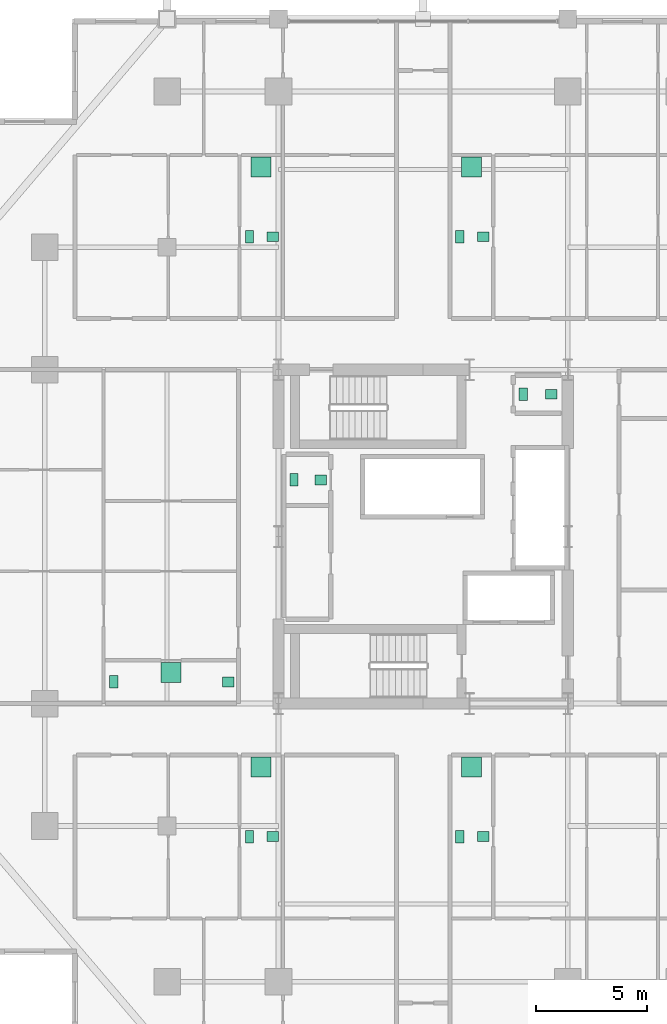
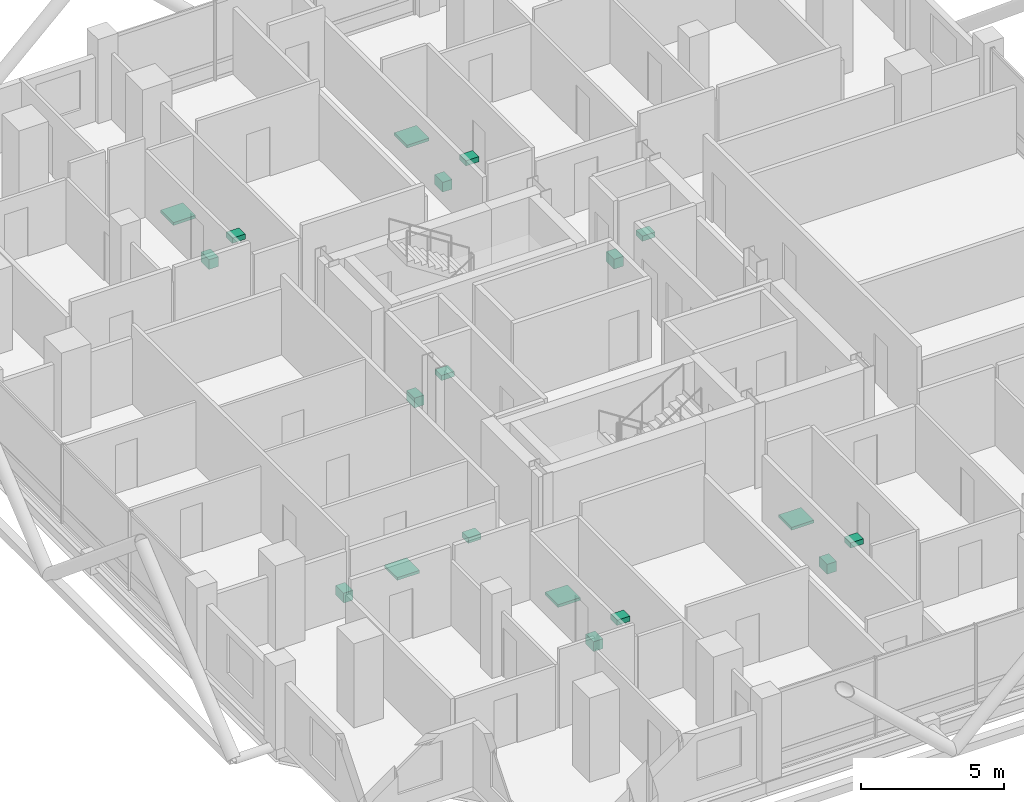
# One storey, part 25 of 25: 19 sanitary terminals.
"""IFC4 building model written with IfcOpenShell, lengths in metres."""

from ifc_helpers import new_model, si_unit, direction, frame, origin, origin_2d, place, context, subcontext, project, spatial, rectangle, extrude, material, type_object, element, save


model = new_model("IFC4")

# Units and contexts
model_context = context("Model", 3, precision=1e-05, world=origin(), true_north=direction((0.0, 1.0)))
body_context = subcontext(model_context, "Body", "Model", "MODEL_VIEW")
ifc_project = project(units=[si_unit("LENGTHUNIT", "METRE"), si_unit("AREAUNIT", "SQUARE_METRE"), si_unit("VOLUMEUNIT", "CUBIC_METRE"), si_unit("PLANEANGLEUNIT", "RADIAN"), si_unit("MASSUNIT", "GRAM", prefix="KILO")], contexts=[model_context])

# Site, building, storey
site_placement = place(None, origin())
site = spatial("IfcSite", under=ifc_project, at=site_placement, CompositionType="ELEMENT")
building_placement = place(site_placement, origin())
building = spatial("IfcBuilding", under=site, at=building_placement, Name="Barlavira Tower and Art Museum", CompositionType="ELEMENT")
storey_placement = place(building_placement, frame((0.0, 0.0, 133.199951171875)))
storey = spatial("IfcBuildingStorey", under=building, at=storey_placement, Name="L33", CompositionType="ELEMENT", Elevation=133.199951171875)

# Sanitary terminals
ifc_material = material(Name="Vitreous glazed ceramic", Category="ceramic")
sanitary_terminal_type_1 = type_object("IfcSanitaryTerminalType", Name="Countertop Ceramic Wash Hand Basin", PredefinedType="WASHHANDBASIN", material=ifc_material)
for number, where, z_axis, x_axis, name in (
    (1, (-4.60009765625, 2.550048828125, 0.740234375), (0.0, 0.0, 1.0), (1.0, 0.0, 0.0), "L33-C-REC1W Wash Basin"),
    (2, (5.75, 6.39990234375, 0.740234375), (0.0, 0.0, 1.0), (1.0, 0.0, 0.0), "L33-C-AWC4 Wash Basin"),
    (3, (-6.75, -13.47509765625, 0.740234375), (0.0, 0.0, 1.0), (1.0, 0.0, 0.0), "L33-SW1-BTH1 Wash Basin"),
    (4, (2.699951171875, -13.47509765625, 0.740234375), (0.0, 0.0, 1.0), (1.0, 0.0, 0.0), "L33-SE1-BTH1 Wash Basin"),
    (5, (-6.75, 13.47509765625, 0.740234375), (0.0, 0.0, 1.0), (1.0, 0.0, 0.0), "L33-NW1-BTH1 Wash Basin"),
    (6, (2.699951171875, 13.47509765625, 0.740234375), (0.0, 0.0, 1.0), (1.0, 0.0, 0.0), "L33-NE1-BTH1 Wash Basin"),
    (7, (-8.75, -6.52490234375, 0.740234375), (0.0, 0.0, 1.0), (1.0, 0.0, 0.0), "L33-W1-BTH1 Wash Basin"),
):
    element("IfcSanitaryTerminal", number, at=place(storey_placement, frame(where, z_axis=z_axis, x_axis=x_axis)), inside=storey, type_object=sanitary_terminal_type_1, Name=name, PredefinedType="WASHHANDBASIN", context=body_context, shape_type="SweptSolid", body=[
        extrude(rectangle(XDim=0.52001953125, YDim=0.43994140625, at=origin_2d()), origin(), (0.0, 0.0, 1.0), 0.219970703125),
    ])
sanitary_terminal_type_2 = type_object("IfcSanitaryTerminalType", Name="Walk-In Thermostatic Rain Shower Unit", PredefinedType="SHOWER", material=ifc_material)
for number, where, z_axis, x_axis, name in (
    (8, (-7.27490234375, -10.35009765625, 0.0), (0.0, 0.0, 1.0), (1.0, 0.0, 0.0), "L33-SW1-BTH1 Rain Shower"),
    (9, (2.175048828125, -10.35009765625, 0.0), (0.0, 0.0, 1.0), (1.0, 0.0, 0.0), "L33-SE1-BTH1 Rain Shower"),
    (10, (-7.27490234375, 16.60009765625, 0.0), (0.0, 0.0, 1.0), (1.0, 0.0, 0.0), "L33-NW1-BTH1 Rain Shower"),
    (11, (2.175048828125, 16.60009765625, 0.0), (0.0, 0.0, 1.0), (1.0, 0.0, 0.0), "L33-NE1-BTH1 Rain Shower"),
    (12, (-11.324951171875, -6.10009765625, 0.0), (0.0, 0.0, 1.0), (1.0, 0.0, 0.0), "L33-W1-BTH1 Rain Shower"),
):
    element("IfcSanitaryTerminal", number, at=place(storey_placement, frame(where, z_axis=z_axis, x_axis=x_axis)), inside=storey, type_object=sanitary_terminal_type_2, Name=name, PredefinedType="SHOWER", context=body_context, shape_type="SweptSolid", body=[
        extrude(rectangle(XDim=0.89990234375, YDim=0.89990234375, at=origin_2d()), origin(), (0.0, 0.0, 1.0), 0.1201171875),
    ])
sanitary_terminal_type_3 = type_object("IfcSanitaryTerminalType", Name="Wall-Hung Dual-Flush Vitreous WC Pan", PredefinedType="TOILETPAN", material=ifc_material)
for number, where, z_axis, x_axis, name in (
    (13, (-5.800048828125, 2.550048828125, 0.0), (0.0, 0.0, 1.0), (1.0, 0.0, 0.0), "L33-C-REC1W WC Pan"),
    (14, (4.5, 6.39990234375, 0.0), (0.0, 0.0, 1.0), (1.0, 0.0, 0.0), "L33-C-AWC4 WC Pan"),
    (15, (-7.800048828125, -13.47509765625, 0.0), (0.0, 0.0, 1.0), (1.0, 0.0, 0.0), "L33-SW1-BTH1 WC Pan"),
    (16, (1.64990234375, -13.47509765625, 0.0), (0.0, 0.0, 1.0), (1.0, 0.0, 0.0), "L33-SE1-BTH1 WC Pan"),
    (17, (-7.800048828125, 13.47509765625, 0.0), (0.0, 0.0, 1.0), (1.0, 0.0, 0.0), "L33-NW1-BTH1 WC Pan"),
    (18, (1.64990234375, 13.47509765625, 0.0), (0.0, 0.0, 1.0), (1.0, 0.0, 0.0), "L33-NE1-BTH1 WC Pan"),
    (19, (-13.89990234375, -6.52490234375, 0.0), (0.0, 0.0, 1.0), (1.0, 0.0, 0.0), "L33-W1-BTH1 WC Pan"),
):
    element("IfcSanitaryTerminal", number, at=place(storey_placement, frame(where, z_axis=z_axis, x_axis=x_axis)), inside=storey, type_object=sanitary_terminal_type_3, Name=name, PredefinedType="TOILETPAN", context=body_context, shape_type="SweptSolid", body=[
        extrude(rectangle(XDim=0.3798828125, YDim=0.56005859375, at=origin_2d()), origin(), (0.0, 0.0, 1.0), 0.419921875),
    ])

save(model, "model.ifc")
